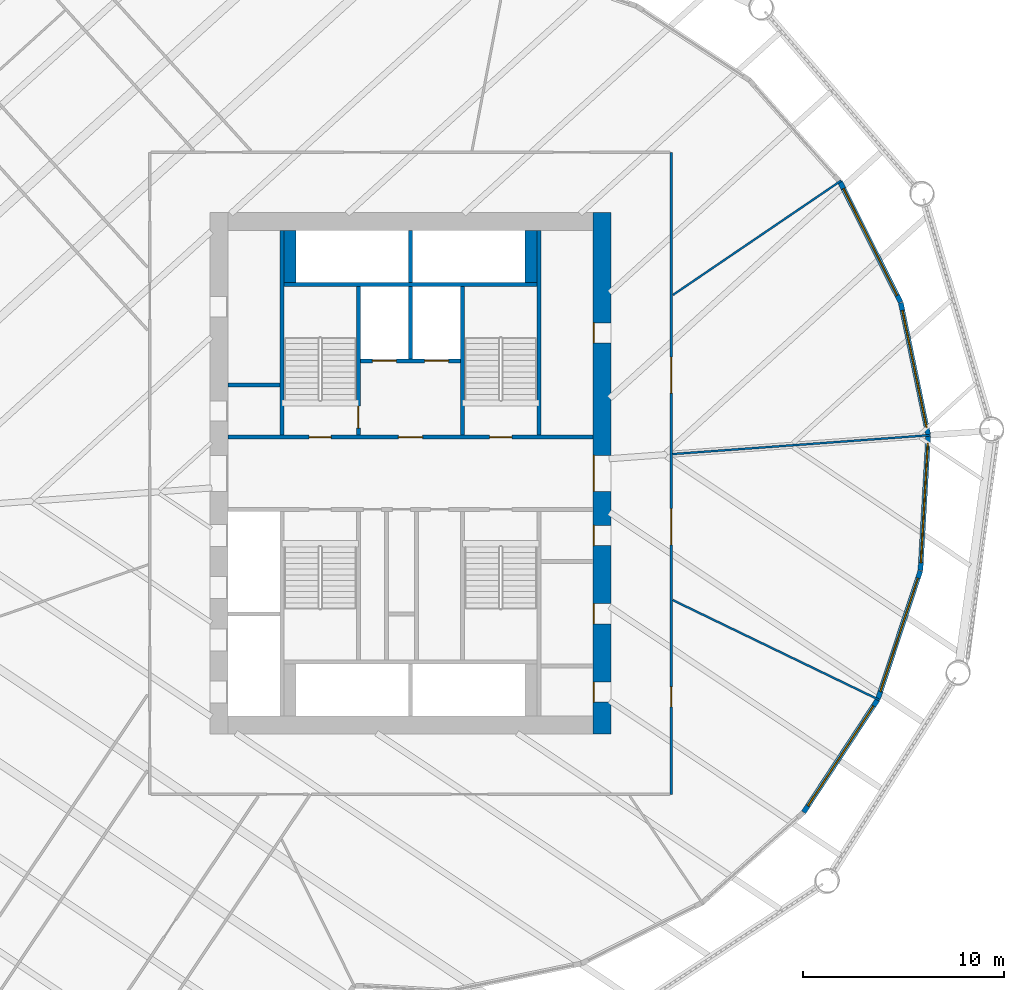
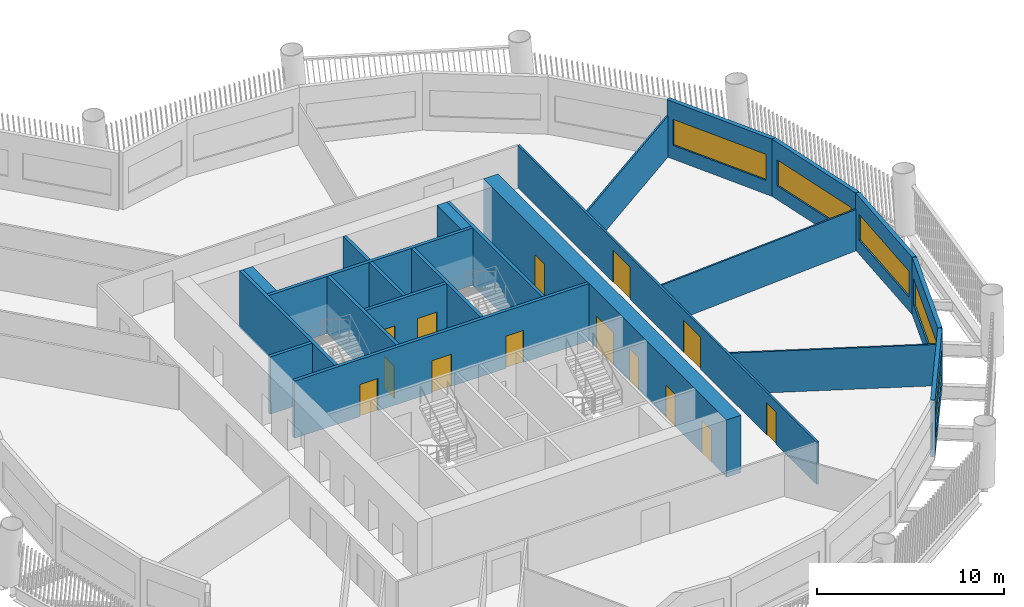
# One storey, part 5 of 15: 22 walls, 14 doors, 5 windows, 19 openings.
"""IFC4 building model written with IfcOpenShell, lengths in metres."""

from ifc_helpers import new_model, si_unit, direction, frame, frame_2d, origin, place, context, subcontext, project, spatial, rectangle, extrude, material, layer, layer_set, type_object, element, fill, save


model = new_model("IFC4")

# Units and contexts
model_context = context("Model", 3, precision=1e-05, world=origin(), true_north=direction((0.0, 1.0)))
body_context = subcontext(model_context, "Body", "Model", "MODEL_VIEW")
ifc_project = project(units=[si_unit("LENGTHUNIT", "METRE"), si_unit("AREAUNIT", "SQUARE_METRE"), si_unit("VOLUMEUNIT", "CUBIC_METRE"), si_unit("PLANEANGLEUNIT", "RADIAN"), si_unit("MASSUNIT", "GRAM", prefix="KILO")], contexts=[model_context])

# Site, building, storey
site_placement = place(None, origin())
site = spatial("IfcSite", under=ifc_project, at=site_placement, CompositionType="ELEMENT")
building_placement = place(site_placement, origin())
building = spatial("IfcBuilding", under=site, at=building_placement, Name="Tarsis Ring Headquarters", CompositionType="ELEMENT")
storey_placement = place(building_placement, frame((0.0, 0.0, 59.5)))
storey = spatial("IfcBuildingStorey", under=building, at=storey_placement, Name="L12", CompositionType="ELEMENT", Elevation=59.5)

# Wall
ifc_material_1 = material(Name="Blockwork", Category="masonry")
ifc_layer_1 = layer(ifc_material_1, 0.199951171875)
ifc_layer_set_1 = layer_set([ifc_layer_1], Name="Core blockwork wall 200")
wall_type_1 = type_object("IfcWallType", Name="Core blockwork wall 200", PredefinedType="PARTITIONING", material=ifc_layer_set_1)
wall_1_placement = place(storey_placement, frame((-9.10009765625, 4.39990234375, 0.0), z_axis=(0.0, 0.0, 1.0), x_axis=(1.0, 0.0, 0.0)))
element("IfcWall", 1, at=wall_1_placement, inside=storey, type_object=wall_type_1, Name="Core partition WD5", PredefinedType="PARTITIONING", context=body_context, shape_type="SweptSolid", body=[
    extrude(rectangle(XDim=2.60009765625, YDim=0.199951171875, at=frame_2d((1.300048828125, 0.0))), origin(), (0.0, 0.0, 1.0), 3.739990234375),
])

# Wall, openings, doors
ifc_material_2 = material(Name="Concrete C60/75", Category="concrete")
ifc_layer_2 = layer(ifc_material_2, 0.89990234375)
ifc_layer_set_2 = layer_set([ifc_layer_2], Name="Core wall 900 C60/75")
wall_type_2 = type_object("IfcWallType", Name="Core wall 900 C60/75", PredefinedType="SHEAR", material=ifc_layer_set_2)
wall_2_placement = place(storey_placement, frame((9.550048828125, -13.0, 0.0), z_axis=(0.0, 0.0, 1.0), x_axis=(0.0, 1.0, 0.0)))
wall_2 = element("IfcWall", 2, at=wall_2_placement, inside=storey, type_object=wall_type_2, Name="Core wall OE", PredefinedType="SHEAR", context=body_context, shape_type="SweptSolid", body=[
    extrude(rectangle(XDim=26.0, YDim=0.89990234375, at=frame_2d((13.0, 0.0))), origin(), (0.0, 0.0, 1.0), 3.739990234375),
])
opening_1_placement = place(wall_2_placement, frame((1.60009765625, 0.0, 0.0)))
opening_1 = element("IfcOpeningElement", 3, at=opening_1_placement, cuts=wall_2, Name="Opening L12-C08", PredefinedType="OPENING", context=body_context, shape_type="SweptSolid", body=[
    extrude(rectangle(XDim=1.0, YDim=2.10009765625, at=frame_2d((0.5, 1.050048828125))), frame((0.0, 0.4599609375, 0.0), z_axis=(0.0, -1.0, 0.0), x_axis=(1.0, 0.0, 0.0)), (0.0, 0.0, 1.0), 0.919921875),
])
opening_2_placement = place(wall_2_placement, frame((5.5, 0.0, 0.0)))
opening_2 = element("IfcOpeningElement", 4, at=opening_2_placement, cuts=wall_2, Name="Opening L12-C09", PredefinedType="OPENING", context=body_context, shape_type="SweptSolid", body=[
    extrude(rectangle(XDim=1.0, YDim=2.10009765625, at=frame_2d((0.5, 1.050048828125))), frame((0.0, 0.4599609375, 0.0), z_axis=(0.0, -1.0, 0.0), x_axis=(1.0, 0.0, 0.0)), (0.0, 0.0, 1.0), 0.919921875),
])
opening_3_placement = place(wall_2_placement, frame((9.39990234375, 0.0, 0.0)))
opening_3 = element("IfcOpeningElement", 5, at=opening_3_placement, cuts=wall_2, Name="Opening L12-C10", PredefinedType="OPENING", context=body_context, shape_type="SweptSolid", body=[
    extrude(rectangle(XDim=1.0, YDim=2.10009765625, at=frame_2d((0.5, 1.050048828125))), frame((0.0, 0.4599609375, 0.0), z_axis=(0.0, -1.0, 0.0), x_axis=(1.0, 0.0, 0.0)), (0.0, 0.0, 1.0), 0.919921875),
])
opening_4_placement = place(wall_2_placement, frame((12.10009765625, 0.0, 0.0)))
opening_4 = element("IfcOpeningElement", 6, at=opening_4_placement, cuts=wall_2, Name="Opening L12-C11", PredefinedType="OPENING", context=body_context, shape_type="SweptSolid", body=[
    extrude(rectangle(XDim=1.800048828125, YDim=2.10009765625, at=frame_2d((0.89990234375, 1.050048828125))), frame((0.0, 0.4599609375, 0.0), z_axis=(0.0, -1.0, 0.0), x_axis=(1.0, 0.0, 0.0)), (0.0, 0.0, 1.0), 0.919921875),
])
opening_5_placement = place(wall_2_placement, frame((19.5, 0.0, 0.0)))
opening_5 = element("IfcOpeningElement", 7, at=opening_5_placement, cuts=wall_2, Name="Opening L12-C12", PredefinedType="OPENING", context=body_context, shape_type="SweptSolid", body=[
    extrude(rectangle(XDim=1.0, YDim=2.10009765625, at=frame_2d((0.5, 1.050048828125))), frame((0.0, 0.4599609375, 0.0), z_axis=(0.0, -1.0, 0.0), x_axis=(1.0, 0.0, 0.0)), (0.0, 0.0, 1.0), 0.919921875),
])
ifc_material_3 = material(Name="Steel S355", Category="steel")
door_type_1 = type_object("IfcDoorType", Name="Core entry door 1800x2100", OperationType="DOUBLE_DOOR_SINGLE_SWING", PredefinedType="DOOR", material=ifc_material_3)
door_1_placement = place(opening_4_placement, origin())
door_1 = element("IfcDoor", 8, at=door_1_placement, inside=storey, type_object=door_type_1, Name="Core entry door L12", OperationType="DOUBLE_DOOR_SINGLE_SWING", OverallHeight=2.10009765625, OverallWidth=1.800048828125, PredefinedType="DOOR", context=body_context, shape_type="SweptSolid", body=[
    extrude(rectangle(XDim=1.800048828125, YDim=2.10009765625, at=frame_2d((0.89990234375, 1.050048828125))), frame((0.0, 0.4501953125, 0.0), z_axis=(0.0, -1.0, 0.0), x_axis=(1.0, 0.0, 0.0)), (0.0, 0.0, 1.0), 0.050048828125),
])
fill(opening_4, door_1)
door_type_2 = type_object("IfcDoorType", Name="Core room door 1000x2100", OperationType="SINGLE_SWING_LEFT", PredefinedType="DOOR", material=ifc_material_3)
door_2_placement = place(opening_1_placement, origin())
door_2 = element("IfcDoor", 9, at=door_2_placement, inside=storey, type_object=door_type_2, Name="Core room door L12", OperationType="SINGLE_SWING_LEFT", OverallHeight=2.10009765625, OverallWidth=1.0, PredefinedType="DOOR", context=body_context, shape_type="SweptSolid", body=[
    extrude(rectangle(XDim=1.0, YDim=2.10009765625, at=frame_2d((0.5, 1.050048828125))), frame((0.0, 0.4501953125, 0.0), z_axis=(0.0, -1.0, 0.0), x_axis=(1.0, 0.0, 0.0)), (0.0, 0.0, 1.0), 0.050048828125),
])
fill(opening_1, door_2)
door_3_placement = place(opening_2_placement, origin())
door_3 = element("IfcDoor", 10, at=door_3_placement, inside=storey, type_object=door_type_2, Name="Core room door L12", OperationType="SINGLE_SWING_LEFT", OverallHeight=2.10009765625, OverallWidth=1.0, PredefinedType="DOOR", context=body_context, shape_type="SweptSolid", body=[
    extrude(rectangle(XDim=1.0, YDim=2.10009765625, at=frame_2d((0.5, 1.050048828125))), frame((0.0, 0.4501953125, 0.0), z_axis=(0.0, -1.0, 0.0), x_axis=(1.0, 0.0, 0.0)), (0.0, 0.0, 1.0), 0.050048828125),
])
fill(opening_2, door_3)
door_4_placement = place(opening_3_placement, origin())
door_4 = element("IfcDoor", 11, at=door_4_placement, inside=storey, type_object=door_type_2, Name="Core room door L12", OperationType="SINGLE_SWING_LEFT", OverallHeight=2.10009765625, OverallWidth=1.0, PredefinedType="DOOR", context=body_context, shape_type="SweptSolid", body=[
    extrude(rectangle(XDim=1.0, YDim=2.10009765625, at=frame_2d((0.5, 1.050048828125))), frame((0.0, 0.4501953125, 0.0), z_axis=(0.0, -1.0, 0.0), x_axis=(1.0, 0.0, 0.0)), (0.0, 0.0, 1.0), 0.050048828125),
])
fill(opening_3, door_4)
door_5_placement = place(opening_5_placement, origin())
door_5 = element("IfcDoor", 12, at=door_5_placement, inside=storey, type_object=door_type_2, Name="Core room door L12", OperationType="SINGLE_SWING_LEFT", OverallHeight=2.10009765625, OverallWidth=1.0, PredefinedType="DOOR", context=body_context, shape_type="SweptSolid", body=[
    extrude(rectangle(XDim=1.0, YDim=2.10009765625, at=frame_2d((0.5, 1.050048828125))), frame((0.0, 0.4501953125, 0.0), z_axis=(0.0, -1.0, 0.0), x_axis=(1.0, 0.0, 0.0)), (0.0, 0.0, 1.0), 0.050048828125),
])
fill(opening_5, door_5)

# Walls
ifc_material_4 = material(Name="Gypsum board on steel studs", Category="steel")
ifc_layer_3 = layer(ifc_material_4, 0.10009765625)
ifc_layer_set_3 = layer_set([ifc_layer_3], Name="FL partition 100 unrated")
wall_type_3 = type_object("IfcWallType", Name="FL partition 100 unrated", PredefinedType="PARTITIONING", material=ifc_layer_set_3)
wall_3_placement = place(storey_placement, frame((13.06982421875, 0.959716796875, 0.0), z_axis=(0.0, 0.0, 1.0), x_axis=(0.997313979967, 0.073244968165, 0.0)))
element("IfcWall", 13, at=wall_3_placement, inside=storey, type_object=wall_type_3, Name="Partition PW3", PredefinedType="PARTITIONING", context=body_context, shape_type="SweptSolid", body=[
    extrude(rectangle(XDim=12.8427734375, YDim=0.10009765625, at=frame_2d((6.42138671875, 0.0))), origin(), (0.0, 0.0, 1.0), 2.699951171875),
])
wall_4_placement = place(storey_placement, frame((13.072021484375, -6.3193359375, 0.0), z_axis=(0.0, 0.0, 1.0), x_axis=(0.900324539147, -0.435219168016, 0.0)))
element("IfcWall", 14, at=wall_4_placement, inside=storey, type_object=wall_type_3, Name="Partition PW3", PredefinedType="PARTITIONING", context=body_context, shape_type="SweptSolid", body=[
    extrude(rectangle(XDim=11.428466796875, YDim=0.10009765625, at=frame_2d((5.71435546875, 0.0))), origin(), (0.0, 0.0, 1.0), 2.699951171875),
])
wall_5_placement = place(storey_placement, frame((13.082763671875, 8.89111328125, 0.0), z_axis=(0.0, 0.0, 1.0), x_axis=(0.827078435554, 0.562086524871, 0.0)))
element("IfcWall", 15, at=wall_5_placement, inside=storey, type_object=wall_type_3, Name="Partition PW3", PredefinedType="PARTITIONING", context=body_context, shape_type="SweptSolid", body=[
    extrude(rectangle(XDim=10.1298828125, YDim=0.10009765625, at=frame_2d((5.06494140625, 0.0))), origin(), (0.0, 0.0, 1.0), 2.699951171875),
])

# Wall, openings, doors
ifc_layer_4 = layer(ifc_material_4, 0.125)
ifc_layer_set_4 = layer_set([ifc_layer_4], Name="FL partition 125 EI 60 H2770")
wall_type_4 = type_object("IfcWallType", Name="FL partition 125 EI 60 H2770", PredefinedType="PARTITIONING", material=ifc_layer_set_4)
wall_6_placement = place(storey_placement, frame((13.0, -16.0, 0.0), z_axis=(0.0, 0.0, 1.0), x_axis=(0.0, 1.0, 0.0)))
wall_6 = element("IfcWall", 16, at=wall_6_placement, inside=storey, type_object=wall_type_4, Name="Partition PW1", PredefinedType="PARTITIONING", context=body_context, shape_type="SweptSolid", body=[
    extrude(rectangle(XDim=32.0, YDim=0.125, at=frame_2d((16.0, 0.0))), origin(), (0.0, 0.0, 1.0), 2.77001953125),
])
opening_6_placement = place(wall_6_placement, frame((19.99462890625, 0.0, 0.0)))
opening_6 = element("IfcOpeningElement", 17, at=opening_6_placement, cuts=wall_6, Name="Opening D12.05", PredefinedType="OPENING", context=body_context, shape_type="SweptSolid", body=[
    extrude(rectangle(XDim=1.800048828125, YDim=2.10009765625, at=frame_2d((0.89990234375, 1.050048828125))), frame((0.0, 0.072509765625, 0.0), z_axis=(0.0, -1.0, 0.0), x_axis=(1.0, 0.0, 0.0)), (0.0, 0.0, 1.0), 0.14501953125),
])
opening_7_placement = place(wall_6_placement, frame((12.43505859375, 0.0, 0.0)))
opening_7 = element("IfcOpeningElement", 18, at=opening_7_placement, cuts=wall_6, Name="Opening D12.06", PredefinedType="OPENING", context=body_context, shape_type="SweptSolid", body=[
    extrude(rectangle(XDim=1.800048828125, YDim=2.10009765625, at=frame_2d((0.89990234375, 1.050048828125))), frame((0.0, 0.072509765625, 0.0), z_axis=(0.0, -1.0, 0.0), x_axis=(1.0, 0.0, 0.0)), (0.0, 0.0, 1.0), 0.14501953125),
])
opening_8_placement = place(wall_6_placement, frame((4.35791015625, 0.0, 0.0)))
opening_8 = element("IfcOpeningElement", 19, at=opening_8_placement, cuts=wall_6, Name="Opening D12.07", PredefinedType="OPENING", context=body_context, shape_type="SweptSolid", body=[
    extrude(rectangle(XDim=1.0, YDim=2.10009765625, at=frame_2d((0.5, 1.050048828125))), frame((0.0, 0.072509765625, 0.0), z_axis=(0.0, -1.0, 0.0), x_axis=(1.0, 0.0, 0.0)), (0.0, 0.0, 1.0), 0.14501953125),
])
ifc_material_5 = material(Name="Fire-rated timber door leaf in steel frame", Category="steel")
door_type_3 = type_object("IfcDoorType", Name="FL door FD60-1000", OperationType="NOTDEFINED", PredefinedType="DOOR", material=ifc_material_5)
door_6_placement = place(opening_8_placement, origin())
door_6 = element("IfcDoor", 20, at=door_6_placement, inside=storey, type_object=door_type_3, Name="Door D12.07", OperationType="SINGLE_SWING_LEFT", OverallHeight=2.10009765625, OverallWidth=1.0, PredefinedType="DOOR", context=body_context, shape_type="SweptSolid", body=[
    extrude(rectangle(XDim=1.0, YDim=2.10009765625, at=frame_2d((0.5, 1.050048828125))), frame((0.0, 0.02490234375, 0.0), z_axis=(0.0, -1.0, 0.0), x_axis=(1.0, 0.0, 0.0)), (0.0, 0.0, 1.0), 0.050048828125),
])
fill(opening_8, door_6)
door_type_4 = type_object("IfcDoorType", Name="FL door FD60-1800", OperationType="DOUBLE_DOOR_SINGLE_SWING", PredefinedType="DOOR", material=ifc_material_5)
door_7_placement = place(opening_6_placement, origin())
door_7 = element("IfcDoor", 21, at=door_7_placement, inside=storey, type_object=door_type_4, Name="Door D12.05", OperationType="DOUBLE_DOOR_SINGLE_SWING", OverallHeight=2.10009765625, OverallWidth=1.800048828125, PredefinedType="DOOR", context=body_context, shape_type="SweptSolid", body=[
    extrude(rectangle(XDim=1.800048828125, YDim=2.10009765625, at=frame_2d((0.89990234375, 1.050048828125))), frame((0.0, 0.02490234375, 0.0), z_axis=(0.0, -1.0, 0.0), x_axis=(1.0, 0.0, 0.0)), (0.0, 0.0, 1.0), 0.050048828125),
])
fill(opening_6, door_7)
door_8_placement = place(opening_7_placement, origin())
door_8 = element("IfcDoor", 22, at=door_8_placement, inside=storey, type_object=door_type_4, Name="Door D12.06", OperationType="DOUBLE_DOOR_SINGLE_SWING", OverallHeight=2.10009765625, OverallWidth=1.800048828125, PredefinedType="DOOR", context=body_context, shape_type="SweptSolid", body=[
    extrude(rectangle(XDim=1.800048828125, YDim=2.10009765625, at=frame_2d((0.89990234375, 1.050048828125))), frame((0.0, 0.02490234375, 0.0), z_axis=(0.0, -1.0, 0.0), x_axis=(1.0, 0.0, 0.0)), (0.0, 0.0, 1.0), 0.050048828125),
])
fill(opening_7, door_8)

# Wall, opening, window
ifc_material_6 = material(Name="Terracotta clad insulated panel wall", Category="masonry")
ifc_layer_5 = layer(ifc_material_6, 0.25)
ifc_layer_set_5 = layer_set([ifc_layer_5], Name="Facade wall terracotta panel 250")
wall_type_5 = type_object("IfcWallType", Name="Facade wall terracotta panel 250", PredefinedType="STANDARD", material=ifc_layer_set_5)
wall_7_placement = place(storey_placement, frame((19.595458984375, -16.892822265625, 0.0), z_axis=(0.0, 0.0, 1.0), x_axis=(0.549012623636, 0.835814057723, 0.0)))
wall_7 = element("IfcWall", 23, at=wall_7_placement, inside=storey, type_object=wall_type_5, Name="External wall L12-21", PredefinedType="STANDARD", context=body_context, shape_type="SweptSolid", body=[
    extrude(rectangle(XDim=6.721435546875, YDim=0.25, at=frame_2d((3.36083984375, 0.0))), origin(), (0.0, 0.0, 1.0), 3.739990234375),
])
opening_9_placement = place(wall_7_placement, frame((0.3857421875, 0.0, 0.89990234375)))
opening_9 = element("IfcOpeningElement", 24, at=opening_9_placement, cuts=wall_7, Name="Opening WN07", PredefinedType="OPENING", context=body_context, shape_type="SweptSolid", body=[
    extrude(rectangle(XDim=5.949951171875, YDim=1.699951171875, at=frame_2d((2.97509765625, 0.85009765625))), frame((0.0, 0.135009765625, 0.0), z_axis=(0.0, -1.0, 0.0), x_axis=(1.0, 0.0, 0.0)), (0.0, 0.0, 1.0), 0.27001953125),
])
ifc_material_7 = material(Name="Aluminium framed double glazing", Category="aluminium")
window_type = type_object("IfcWindowType", Name="Facade window 5950 x 1700", PartitioningType="SINGLE_PANEL", PredefinedType="WINDOW", material=ifc_material_7)
window_1_placement = place(opening_9_placement, origin())
window_1 = element("IfcWindow", 25, at=window_1_placement, inside=storey, type_object=window_type, Name="Window L12-21.1", OverallHeight=1.699951171875, OverallWidth=5.949951171875, PartitioningType="SINGLE_PANEL", PredefinedType="WINDOW", context=body_context, shape_type="SweptSolid", body=[
    extrude(rectangle(XDim=5.949951171875, YDim=1.699951171875, at=frame_2d((2.97509765625, 0.85009765625))), frame((0.0, 0.030029296875, 0.0), z_axis=(0.0, -1.0, 0.0), x_axis=(1.0, 0.0, 0.0)), (0.0, 0.0, 1.0), 0.06005859375),
])
fill(opening_9, window_1)

wall_8_placement = place(storey_placement, frame((23.300048828125, -11.24560546875, 0.0), z_axis=(0.0, 0.0, 1.0), x_axis=(0.313971248098, 0.949432491211, 0.0)))
wall_8 = element("IfcWall", 26, at=wall_8_placement, inside=storey, type_object=wall_type_5, Name="External wall L12-22", PredefinedType="STANDARD", context=body_context, shape_type="SweptSolid", body=[
    extrude(rectangle(XDim=6.721435546875, YDim=0.25, at=frame_2d((3.36083984375, 0.0))), origin(), (0.0, 0.0, 1.0), 3.739990234375),
])
opening_10_placement = place(wall_8_placement, frame((0.3857421875, 0.0, 0.89990234375)))
opening_10 = element("IfcOpeningElement", 27, at=opening_10_placement, cuts=wall_8, Name="Opening WN07", PredefinedType="OPENING", context=body_context, shape_type="SweptSolid", body=[
    extrude(rectangle(XDim=5.949951171875, YDim=1.699951171875, at=frame_2d((2.97509765625, 0.85009765625))), frame((0.0, 0.135009765625, 0.0), z_axis=(0.0, -1.0, 0.0), x_axis=(1.0, 0.0, 0.0)), (0.0, 0.0, 1.0), 0.27001953125),
])
window_2_placement = place(opening_10_placement, origin())
window_2 = element("IfcWindow", 28, at=window_2_placement, inside=storey, type_object=window_type, Name="Window L12-22.1", OverallHeight=1.699951171875, OverallWidth=5.949951171875, PartitioningType="SINGLE_PANEL", PredefinedType="WINDOW", context=body_context, shape_type="SweptSolid", body=[
    extrude(rectangle(XDim=5.949951171875, YDim=1.699951171875, at=frame_2d((2.97509765625, 0.85009765625))), frame((0.0, 0.030029296875, 0.0), z_axis=(0.0, -1.0, 0.0), x_axis=(1.0, 0.0, 0.0)), (0.0, 0.0, 1.0), 0.06005859375),
])
fill(opening_10, window_2)

wall_9_placement = place(storey_placement, frame((25.41650390625, -4.831787109375, 0.0), z_axis=(0.0, 0.0, 1.0), x_axis=(0.05757216792, 0.998341347176, 0.0)))
wall_9 = element("IfcWall", 29, at=wall_9_placement, inside=storey, type_object=wall_type_5, Name="External wall L12-23", PredefinedType="STANDARD", context=body_context, shape_type="SweptSolid", body=[
    extrude(rectangle(XDim=6.721435546875, YDim=0.25, at=frame_2d((3.36083984375, 0.0))), origin(), (0.0, 0.0, 1.0), 3.739990234375),
])
opening_11_placement = place(wall_9_placement, frame((0.3857421875, 0.0, 0.89990234375)))
opening_11 = element("IfcOpeningElement", 30, at=opening_11_placement, cuts=wall_9, Name="Opening WN07", PredefinedType="OPENING", context=body_context, shape_type="SweptSolid", body=[
    extrude(rectangle(XDim=5.949951171875, YDim=1.699951171875, at=frame_2d((2.97509765625, 0.85009765625))), frame((0.0, 0.135009765625, 0.0), z_axis=(0.0, -1.0, 0.0), x_axis=(1.0, 0.0, 0.0)), (0.0, 0.0, 1.0), 0.27001953125),
])
window_3_placement = place(opening_11_placement, origin())
window_3 = element("IfcWindow", 31, at=window_3_placement, inside=storey, type_object=window_type, Name="Window L12-23.1", OverallHeight=1.699951171875, OverallWidth=5.949951171875, PartitioningType="SINGLE_PANEL", PredefinedType="WINDOW", context=body_context, shape_type="SweptSolid", body=[
    extrude(rectangle(XDim=5.949951171875, YDim=1.699951171875, at=frame_2d((2.97509765625, 0.85009765625))), frame((0.0, 0.030029296875, 0.0), z_axis=(0.0, -1.0, 0.0), x_axis=(1.0, 0.0, 0.0)), (0.0, 0.0, 1.0), 0.06005859375),
])
fill(opening_11, window_3)

wall_10_placement = place(storey_placement, frame((25.801025390625, 1.9111328125, 0.0), z_axis=(0.0, 0.0, 1.0), x_axis=(-0.20278936741, 0.979222381518, 0.0)))
wall_10 = element("IfcWall", 32, at=wall_10_placement, inside=storey, type_object=wall_type_5, Name="External wall L12-24", PredefinedType="STANDARD", context=body_context, shape_type="SweptSolid", body=[
    extrude(rectangle(XDim=6.721435546875, YDim=0.25, at=frame_2d((3.36083984375, 0.0))), origin(), (0.0, 0.0, 1.0), 3.739990234375),
])
opening_12_placement = place(wall_10_placement, frame((0.3857421875, 0.0, 0.89990234375)))
opening_12 = element("IfcOpeningElement", 33, at=opening_12_placement, cuts=wall_10, Name="Opening WN07", PredefinedType="OPENING", context=body_context, shape_type="SweptSolid", body=[
    extrude(rectangle(XDim=5.949951171875, YDim=1.699951171875, at=frame_2d((2.97509765625, 0.85009765625))), frame((0.0, 0.135009765625, 0.0), z_axis=(0.0, -1.0, 0.0), x_axis=(1.0, 0.0, 0.0)), (0.0, 0.0, 1.0), 0.27001953125),
])
window_4_placement = place(opening_12_placement, origin())
window_4 = element("IfcWindow", 34, at=window_4_placement, inside=storey, type_object=window_type, Name="Window L12-24.1", OverallHeight=1.699951171875, OverallWidth=5.949951171875, PartitioningType="SINGLE_PANEL", PredefinedType="WINDOW", context=body_context, shape_type="SweptSolid", body=[
    extrude(rectangle(XDim=5.949951171875, YDim=1.699951171875, at=frame_2d((2.97509765625, 0.85009765625))), frame((0.0, 0.030029296875, 0.0), z_axis=(0.0, -1.0, 0.0), x_axis=(1.0, 0.0, 0.0)), (0.0, 0.0, 1.0), 0.06005859375),
])
fill(opening_12, window_4)

wall_11_placement = place(storey_placement, frame((24.42724609375, 8.523681640625, 0.0), z_axis=(0.0, 0.0, 1.0), x_axis=(-0.449304525712, 0.893378667293, 0.0)))
wall_11 = element("IfcWall", 35, at=wall_11_placement, inside=storey, type_object=wall_type_5, Name="External wall L12-25", PredefinedType="STANDARD", context=body_context, shape_type="SweptSolid", body=[
    extrude(rectangle(XDim=6.721435546875, YDim=0.25, at=frame_2d((3.36083984375, 0.0))), origin(), (0.0, 0.0, 1.0), 3.739990234375),
])
opening_13_placement = place(wall_11_placement, frame((0.3857421875, 0.0, 0.89990234375)))
opening_13 = element("IfcOpeningElement", 36, at=opening_13_placement, cuts=wall_11, Name="Opening WN07", PredefinedType="OPENING", context=body_context, shape_type="SweptSolid", body=[
    extrude(rectangle(XDim=5.949951171875, YDim=1.699951171875, at=frame_2d((2.97509765625, 0.85009765625))), frame((0.0, 0.135009765625, 0.0), z_axis=(0.0, -1.0, 0.0), x_axis=(1.0, 0.0, 0.0)), (0.0, 0.0, 1.0), 0.27001953125),
])
window_5_placement = place(opening_13_placement, origin())
window_5 = element("IfcWindow", 37, at=window_5_placement, inside=storey, type_object=window_type, Name="Window L12-25.1", OverallHeight=1.699951171875, OverallWidth=5.949951171875, PartitioningType="SINGLE_PANEL", PredefinedType="WINDOW", context=body_context, shape_type="SweptSolid", body=[
    extrude(rectangle(XDim=5.949951171875, YDim=1.699951171875, at=frame_2d((2.97509765625, 0.85009765625))), frame((0.0, 0.030029296875, 0.0), z_axis=(0.0, -1.0, 0.0), x_axis=(1.0, 0.0, 0.0)), (0.0, 0.0, 1.0), 0.06005859375),
])
fill(opening_13, window_5)

# Walls
ifc_material_8 = material(Name="Concrete C32/40", Category="concrete")
ifc_layer_6 = layer(ifc_material_8, 0.60009765625)
ifc_layer_set_6 = layer_set([ifc_layer_6], Name="Shaft end wall 600 C32/40")
wall_type_6 = type_object("IfcWallType", Name="Shaft end wall 600 C32/40", PredefinedType="SOLIDWALL", material=ifc_layer_set_6)
for number, where, z_axis, x_axis, name in (
    (38, (-6.0, 9.5, 0.0), (0.0, 0.0, 1.0), (0.0, 1.0, 0.0), "Core shaft wall NNE1"),
    (39, (6.0, 9.5, 0.0), (0.0, 0.0, 1.0), (0.0, 1.0, 0.0), "Core shaft wall NNE2"),
):
    element("IfcWall", number, at=place(storey_placement, frame(where, z_axis=z_axis, x_axis=x_axis)), inside=storey, type_object=wall_type_6, Name=name, PredefinedType="SOLIDWALL", context=body_context, shape_type="SweptSolid", body=[
        extrude(rectangle(XDim=2.60009765625, YDim=0.60009765625, at=frame_2d((1.300048828125, 0.0))), origin(), (0.0, 0.0, 1.0), 3.739990234375),
    ])

# Wall, openings, doors
ifc_layer_7 = layer(ifc_material_8, 0.199951171875)
ifc_layer_set_7 = layer_set([ifc_layer_7], Name="Shaft wall 200 C32/40")
wall_type_7 = type_object("IfcWallType", Name="Shaft wall 200 C32/40", PredefinedType="SOLIDWALL", material=ifc_layer_set_7)
wall_12_placement = place(storey_placement, frame((-9.10009765625, 1.800048828125, 0.0), z_axis=(0.0, 0.0, 1.0), x_axis=(1.0, 0.0, 0.0)))
wall_12 = element("IfcWall", 40, at=wall_12_placement, inside=storey, type_object=wall_type_7, Name="Core shaft wall CN", PredefinedType="SOLIDWALL", context=body_context, shape_type="SweptSolid", body=[
    extrude(rectangle(XDim=18.2001953125, YDim=0.199951171875, at=frame_2d((9.10009765625, 0.0))), origin(), (0.0, 0.0, 1.0), 3.739990234375),
])
opening_14_placement = place(wall_12_placement, frame((4.050048828125, 0.0, 0.0)))
opening_14 = element("IfcOpeningElement", 41, at=opening_14_placement, cuts=wall_12, Name="Opening L12-C13", PredefinedType="OPENING", context=body_context, shape_type="SweptSolid", body=[
    extrude(rectangle(XDim=1.10009765625, YDim=2.10009765625, at=frame_2d((0.550048828125, 1.050048828125))), frame((0.0, 0.10986328125, 0.0), z_axis=(0.0, -1.0, 0.0), x_axis=(1.0, 0.0, 0.0)), (0.0, 0.0, 1.0), 0.219970703125),
])
opening_15_placement = place(wall_12_placement, frame((8.5, 0.0, 0.0)))
opening_15 = element("IfcOpeningElement", 42, at=opening_15_placement, cuts=wall_12, Name="Opening L12-C14", PredefinedType="OPENING", context=body_context, shape_type="SweptSolid", body=[
    extrude(rectangle(XDim=1.199951171875, YDim=2.10009765625, at=frame_2d((0.60009765625, 1.050048828125))), frame((0.0, 0.10986328125, 0.0), z_axis=(0.0, -1.0, 0.0), x_axis=(1.0, 0.0, 0.0)), (0.0, 0.0, 1.0), 0.219970703125),
])
opening_16_placement = place(wall_12_placement, frame((13.050048828125, 0.0, 0.0)))
opening_16 = element("IfcOpeningElement", 43, at=opening_16_placement, cuts=wall_12, Name="Opening L12-C15", PredefinedType="OPENING", context=body_context, shape_type="SweptSolid", body=[
    extrude(rectangle(XDim=1.10009765625, YDim=2.10009765625, at=frame_2d((0.550048828125, 1.050048828125))), frame((0.0, 0.10986328125, 0.0), z_axis=(0.0, -1.0, 0.0), x_axis=(1.0, 0.0, 0.0)), (0.0, 0.0, 1.0), 0.219970703125),
])
door_type_5 = type_object("IfcDoorType", Name="Firefighting lobby door 1200x2100", OperationType="DOUBLE_DOOR_SINGLE_SWING", PredefinedType="DOOR", material=ifc_material_3)
door_9_placement = place(opening_15_placement, origin())
door_9 = element("IfcDoor", 44, at=door_9_placement, inside=storey, type_object=door_type_5, Name="Firefighting lobby door L12", OperationType="DOUBLE_DOOR_SINGLE_SWING", OverallHeight=2.10009765625, OverallWidth=1.199951171875, PredefinedType="DOOR", context=body_context, shape_type="SweptSolid", body=[
    extrude(rectangle(XDim=1.199951171875, YDim=2.10009765625, at=frame_2d((0.60009765625, 1.050048828125))), frame((0.0, 0.02490234375, 0.0), z_axis=(0.0, -1.0, 0.0), x_axis=(1.0, 0.0, 0.0)), (0.0, 0.0, 1.0), 0.050048828125),
])
fill(opening_15, door_9)
door_type_6 = type_object("IfcDoorType", Name="Stair door 1100x2100", OperationType="SINGLE_SWING_LEFT", PredefinedType="DOOR", material=ifc_material_3)
door_10_placement = place(opening_14_placement, origin())
door_10 = element("IfcDoor", 45, at=door_10_placement, inside=storey, type_object=door_type_6, Name="Stair door L12", OperationType="SINGLE_SWING_LEFT", OverallHeight=2.10009765625, OverallWidth=1.10009765625, PredefinedType="DOOR", context=body_context, shape_type="SweptSolid", body=[
    extrude(rectangle(XDim=1.10009765625, YDim=2.10009765625, at=frame_2d((0.550048828125, 1.050048828125))), frame((0.0, 0.02490234375, 0.0), z_axis=(0.0, -1.0, 0.0), x_axis=(1.0, 0.0, 0.0)), (0.0, 0.0, 1.0), 0.050048828125),
])
fill(opening_14, door_10)
door_11_placement = place(opening_16_placement, origin())
door_11 = element("IfcDoor", 46, at=door_11_placement, inside=storey, type_object=door_type_6, Name="Stair door L12", OperationType="SINGLE_SWING_LEFT", OverallHeight=2.10009765625, OverallWidth=1.10009765625, PredefinedType="DOOR", context=body_context, shape_type="SweptSolid", body=[
    extrude(rectangle(XDim=1.10009765625, YDim=2.10009765625, at=frame_2d((0.550048828125, 1.050048828125))), frame((0.0, 0.02490234375, 0.0), z_axis=(0.0, -1.0, 0.0), x_axis=(1.0, 0.0, 0.0)), (0.0, 0.0, 1.0), 0.050048828125),
])
fill(opening_16, door_11)

# Walls
for number, where, z_axis, x_axis, name in (
    (47, (-6.39990234375, 1.89990234375, 0.0), (0.0, 0.0, 1.0), (0.0, 1.0, 0.0), "Core shaft wall WB2"),
    (48, (6.39990234375, 1.89990234375, 0.0), (0.0, 0.0, 1.0), (0.0, 1.0, 0.0), "Core shaft wall EB2"),
):
    element("IfcWall", number, at=place(storey_placement, frame(where, z_axis=z_axis, x_axis=x_axis)), inside=storey, type_object=wall_type_7, Name=name, PredefinedType="SOLIDWALL", context=body_context, shape_type="SweptSolid", body=[
        extrude(rectangle(XDim=10.2001953125, YDim=0.199951171875, at=frame_2d((5.10009765625, 0.0))), origin(), (0.0, 0.0, 1.0), 3.739990234375),
    ])
wall_13_placement = place(storey_placement, frame((-6.300048828125, 9.39990234375, 0.0), z_axis=(0.0, 0.0, 1.0), x_axis=(1.0, 0.0, 0.0)))
element("IfcWall", 49, at=wall_13_placement, inside=storey, type_object=wall_type_7, Name="Core shaft wall NB", PredefinedType="SOLIDWALL", context=body_context, shape_type="SweptSolid", body=[
    extrude(rectangle(XDim=12.60009765625, YDim=0.199951171875, at=frame_2d((6.300048828125, 0.0))), origin(), (0.0, 0.0, 1.0), 3.739990234375),
])

# Wall, opening, door
wall_14_placement = place(storey_placement, frame((-2.60009765625, 1.89990234375, 0.0), z_axis=(0.0, 0.0, 1.0), x_axis=(0.0, 1.0, 0.0)))
wall_14 = element("IfcWall", 50, at=wall_14_placement, inside=storey, type_object=wall_type_7, Name="Core shaft wall SW1", PredefinedType="SOLIDWALL", context=body_context, shape_type="SweptSolid", body=[
    extrude(rectangle(XDim=7.400146484375, YDim=0.199951171875, at=frame_2d((3.7001953125, 0.0))), origin(), (0.0, 0.0, 1.0), 3.739990234375),
])
opening_17_placement = place(wall_14_placement, frame((0.35009765625, 0.0, 0.0)))
opening_17 = element("IfcOpeningElement", 51, at=opening_17_placement, cuts=wall_14, Name="Opening L12-C21", PredefinedType="OPENING", context=body_context, shape_type="SweptSolid", body=[
    extrude(rectangle(XDim=1.10009765625, YDim=2.10009765625, at=frame_2d((0.550048828125, 1.050048828125))), frame((0.0, 0.10986328125, 0.0), z_axis=(0.0, -1.0, 0.0), x_axis=(1.0, 0.0, 0.0)), (0.0, 0.0, 1.0), 0.219970703125),
])
door_12_placement = place(opening_17_placement, origin())
door_12 = element("IfcDoor", 52, at=door_12_placement, inside=storey, type_object=door_type_6, Name="Stair door L12", OperationType="SINGLE_SWING_LEFT", OverallHeight=2.10009765625, OverallWidth=1.10009765625, PredefinedType="DOOR", context=body_context, shape_type="SweptSolid", body=[
    extrude(rectangle(XDim=1.10009765625, YDim=2.10009765625, at=frame_2d((0.550048828125, 1.050048828125))), frame((0.0, 0.02490234375, 0.0), z_axis=(0.0, -1.0, 0.0), x_axis=(1.0, 0.0, 0.0)), (0.0, 0.0, 1.0), 0.050048828125),
])
fill(opening_17, door_12)

# Wall
wall_15_placement = place(storey_placement, frame((2.60009765625, 1.89990234375, 0.0), z_axis=(0.0, 0.0, 1.0), x_axis=(0.0, 1.0, 0.0)))
element("IfcWall", 53, at=wall_15_placement, inside=storey, type_object=wall_type_7, Name="Core shaft wall SW2", PredefinedType="SOLIDWALL", context=body_context, shape_type="SweptSolid", body=[
    extrude(rectangle(XDim=7.400146484375, YDim=0.199951171875, at=frame_2d((3.7001953125, 0.0))), origin(), (0.0, 0.0, 1.0), 3.739990234375),
])

# Wall, openings, doors
wall_16_placement = place(storey_placement, frame((-2.5, 5.60009765625, 0.0), z_axis=(0.0, 0.0, 1.0), x_axis=(1.0, 0.0, 0.0)))
wall_16 = element("IfcWall", 54, at=wall_16_placement, inside=storey, type_object=wall_type_7, Name="Core shaft wall FFN", PredefinedType="SOLIDWALL", context=body_context, shape_type="SweptSolid", body=[
    extrude(rectangle(XDim=5.0, YDim=0.199951171875, at=frame_2d((2.5, 0.0))), origin(), (0.0, 0.0, 1.0), 3.739990234375),
])
opening_18_placement = place(wall_16_placement, frame((0.60009765625, 0.0, 0.0)))
opening_18 = element("IfcOpeningElement", 55, at=opening_18_placement, cuts=wall_16, Name="Opening LDF-1", PredefinedType="OPENING", context=body_context, shape_type="SweptSolid", body=[
    extrude(rectangle(XDim=1.199951171875, YDim=2.10009765625, at=frame_2d((0.60009765625, 1.050048828125))), frame((0.0, 0.10986328125, 0.0), z_axis=(0.0, -1.0, 0.0), x_axis=(1.0, 0.0, 0.0)), (0.0, 0.0, 1.0), 0.219970703125),
])
opening_19_placement = place(wall_16_placement, frame((3.199951171875, 0.0, 0.0)))
opening_19 = element("IfcOpeningElement", 56, at=opening_19_placement, cuts=wall_16, Name="Opening LDF-2", PredefinedType="OPENING", context=body_context, shape_type="SweptSolid", body=[
    extrude(rectangle(XDim=1.199951171875, YDim=2.10009765625, at=frame_2d((0.60009765625, 1.050048828125))), frame((0.0, 0.10986328125, 0.0), z_axis=(0.0, -1.0, 0.0), x_axis=(1.0, 0.0, 0.0)), (0.0, 0.0, 1.0), 0.219970703125),
])
door_type_7 = type_object("IfcDoorType", Name="Firefighting landing door 1200x2100", OperationType="SLIDING_TO_LEFT", PredefinedType="DOOR", material=ifc_material_3)
door_13_placement = place(opening_18_placement, origin())
door_13 = element("IfcDoor", 57, at=door_13_placement, inside=storey, type_object=door_type_7, Name="Landing door FF1 L12", OperationType="SLIDING_TO_LEFT", OverallHeight=2.10009765625, OverallWidth=1.199951171875, PredefinedType="DOOR", context=body_context, shape_type="SweptSolid", body=[
    extrude(rectangle(XDim=1.199951171875, YDim=2.10009765625, at=frame_2d((0.60009765625, 1.050048828125))), frame((0.0, 0.02490234375, 0.0), z_axis=(0.0, -1.0, 0.0), x_axis=(1.0, 0.0, 0.0)), (0.0, 0.0, 1.0), 0.050048828125),
])
fill(opening_18, door_13)
door_14_placement = place(opening_19_placement, origin())
door_14 = element("IfcDoor", 58, at=door_14_placement, inside=storey, type_object=door_type_7, Name="Landing door FF2 L12", OperationType="SLIDING_TO_LEFT", OverallHeight=2.10009765625, OverallWidth=1.199951171875, PredefinedType="DOOR", context=body_context, shape_type="SweptSolid", body=[
    extrude(rectangle(XDim=1.199951171875, YDim=2.10009765625, at=frame_2d((0.60009765625, 1.050048828125))), frame((0.0, 0.02490234375, 0.0), z_axis=(0.0, -1.0, 0.0), x_axis=(1.0, 0.0, 0.0)), (0.0, 0.0, 1.0), 0.050048828125),
])
fill(opening_19, door_14)

# Walls
wall_17_placement = place(storey_placement, frame((0.0, 5.699951171875, 0.0), z_axis=(0.0, 0.0, 1.0), x_axis=(0.0, 1.0, 0.0)))
element("IfcWall", 59, at=wall_17_placement, inside=storey, type_object=wall_type_7, Name="Core shaft wall FFD", PredefinedType="SOLIDWALL", context=body_context, shape_type="SweptSolid", body=[
    extrude(rectangle(XDim=3.60009765625, YDim=0.199951171875, at=frame_2d((1.800048828125, 0.0))), origin(), (0.0, 0.0, 1.0), 3.739990234375),
])
wall_18_placement = place(storey_placement, frame((0.0, 9.5, 0.0), z_axis=(0.0, 0.0, 1.0), x_axis=(0.0, 1.0, 0.0)))
element("IfcWall", 60, at=wall_18_placement, inside=storey, type_object=wall_type_7, Name="Core shaft wall ND2", PredefinedType="SOLIDWALL", context=body_context, shape_type="SweptSolid", body=[
    extrude(rectangle(XDim=2.60009765625, YDim=0.199951171875, at=frame_2d((1.300048828125, 0.0))), origin(), (0.0, 0.0, 1.0), 3.739990234375),
])

save(model, "model.ifc")
